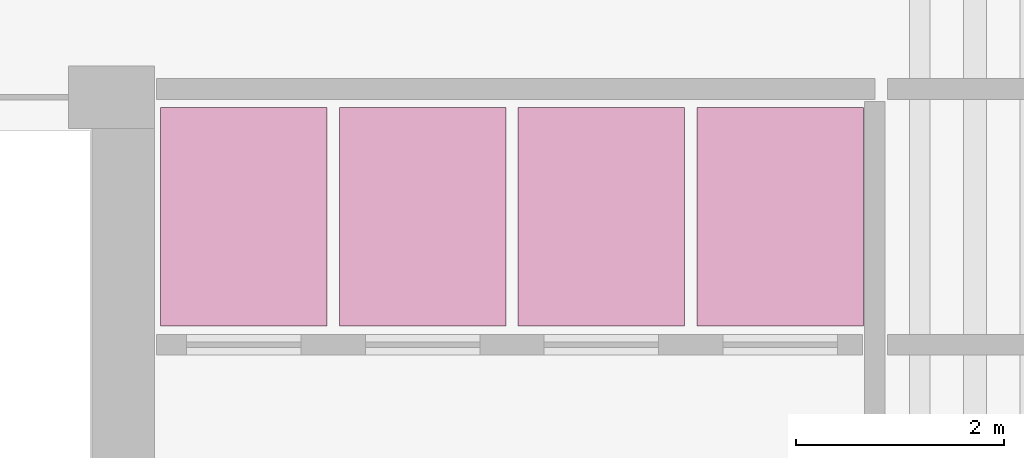
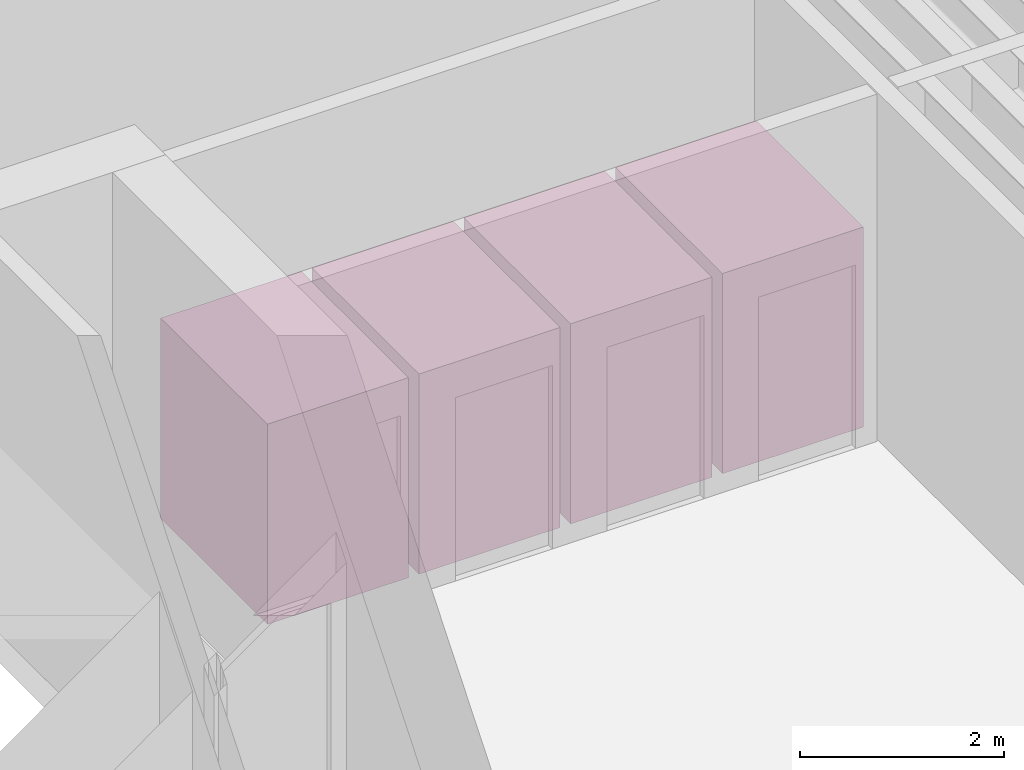
# One storey, part 10 of 10: 4 transport elements.
"""IFC4 building model written with IfcOpenShell, lengths in metres."""

from ifc_helpers import new_model, si_unit, direction, frame, origin, origin_2d, place, context, subcontext, project, spatial, rectangle, extrude, material, type_object, element, save


model = new_model("IFC4")

# Units and contexts
model_context = context("Model", 3, precision=1e-05, world=origin(), true_north=direction((0.0, 1.0)))
body_context = subcontext(model_context, "Body", "Model", "MODEL_VIEW")
ifc_project = project(units=[si_unit("LENGTHUNIT", "METRE"), si_unit("AREAUNIT", "SQUARE_METRE"), si_unit("VOLUMEUNIT", "CUBIC_METRE"), si_unit("PLANEANGLEUNIT", "RADIAN"), si_unit("MASSUNIT", "GRAM", prefix="KILO")], contexts=[model_context])

# Site, building, storey
site_placement = place(None, origin())
site = spatial("IfcSite", under=ifc_project, at=site_placement, CompositionType="ELEMENT")
building_placement = place(site_placement, origin())
building = spatial("IfcBuilding", under=site, at=building_placement, Name="Caeloran Harvest Quay", CompositionType="ELEMENT")
storey_placement = place(building_placement, frame((0.0, 0.0, -4.5)))
storey = spatial("IfcBuildingStorey", under=building, at=storey_placement, Name="B01", CompositionType="ELEMENT", Elevation=-4.5)

# Transport elements
ifc_material = material(Name="Brushed Stainless Steel Grade 316", Category="steel")
transport_element_type = type_object("IfcTransportElementType", Name="LIFT-PASS-1600", PredefinedType="ELEVATOR", material=ifc_material)
for number, where, z_axis, x_axis, name in (
    (1, (24.31005859375, 39.550048828125, 0.0), (0.0, 0.0, 1.0), (1.0, 0.0, 0.0), "Passenger Elevator Lift P1-1"),
    (2, (26.030029296875, 39.550048828125, 0.0), (0.0, 0.0, 1.0), (1.0, 0.0, 0.0), "Passenger Elevator Lift P1-2"),
    (3, (27.75, 39.550048828125, 0.0), (0.0, 0.0, 1.0), (1.0, 0.0, 0.0), "Passenger Elevator Lift P1-3"),
    (4, (29.469970703125, 39.550048828125, 0.0), (0.0, 0.0, 1.0), (1.0, 0.0, 0.0), "Passenger Elevator Lift P1-4"),
):
    element("IfcTransportElement", number, at=place(storey_placement, frame(where, z_axis=z_axis, x_axis=x_axis)), inside=storey, type_object=transport_element_type, Name=name, PredefinedType="ELEVATOR", context=body_context, shape_type="SweptSolid", body=[
        extrude(rectangle(XDim=1.60009765625, YDim=2.10009765625, at=origin_2d()), origin(), (0.0, 0.0, 1.0), 2.39990234375),
    ])

save(model, "model.ifc")
